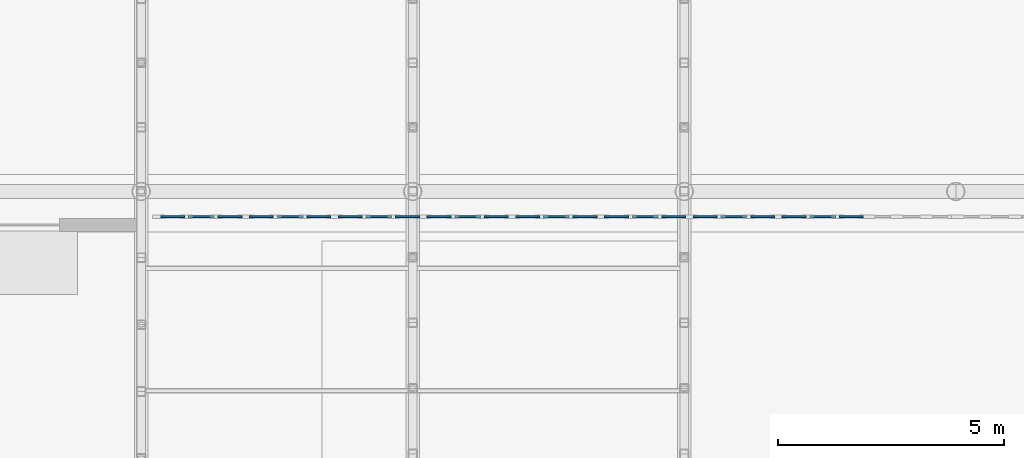
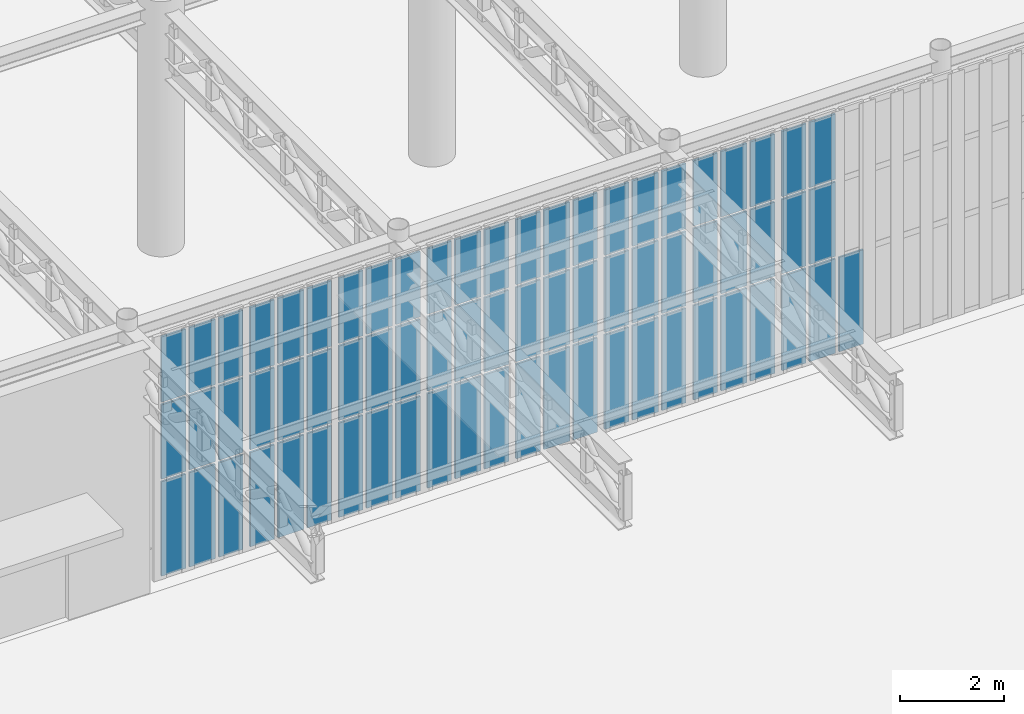
# One storey, part 71 of 118: 70 plates, 8 elements without a shape of their own.
"""IFC4 building model written with IfcOpenShell, lengths in metres."""

from ifc_helpers import new_model, si_unit, direction, frame, origin, origin_2d, place, context, subcontext, project, spatial, rectangle, extrude, material, layer, layer_set, type_object, element, aggregate, save


model = new_model("IFC4")

# Units and contexts
model_context = context("Model", 3, precision=1e-05, world=origin(), true_north=direction((0.0, 1.0)))
body_context = subcontext(model_context, "Body", "Model", "MODEL_VIEW")
ifc_project = project(units=[si_unit("LENGTHUNIT", "METRE"), si_unit("AREAUNIT", "SQUARE_METRE"), si_unit("VOLUMEUNIT", "CUBIC_METRE"), si_unit("PLANEANGLEUNIT", "RADIAN"), si_unit("MASSUNIT", "GRAM", prefix="KILO")], contexts=[model_context])

# Site, building, storey
site_placement = place(None, origin())
site = spatial("IfcSite", under=ifc_project, at=site_placement, CompositionType="ELEMENT")
building_placement = place(site_placement, origin())
building = spatial("IfcBuilding", under=site, at=building_placement, Name="Kolvaren Corner Interchange", CompositionType="ELEMENT")
storey_placement = place(building_placement, origin())
storey = spatial("IfcBuildingStorey", under=building, at=storey_placement, Name="L01", CompositionType="ELEMENT", Elevation=0.0)

# Curtain wall, plates
ifc_material_1 = material(Name="Unitised Aluminium and Solar-Control Glass Curtain Wall", Category="aluminium")
curtain_wall_type = type_object("IfcCurtainWallType", Name="CW-V1-PORTAL", PredefinedType="NOTDEFINED", material=ifc_material_1)
curtain_wall_1_placement = place(storey_placement, origin())
curtain_wall_1 = element("IfcCurtainWall", 1, at=curtain_wall_1_placement, inside=storey, type_object=curtain_wall_type, Name="South Portal Ground Curtain Wall Bay 01", PredefinedType="NOTDEFINED")
ifc_material_2 = material(Name="Acoustic Triple-Glazed Solar Glass", Category="glass")
ifc_layer = layer(ifc_material_2, 0.0419921875)
ifc_layer_set = layer_set([ifc_layer], Name="Acoustic Triple-Glazed Solar Glass")
plate_type = type_object("IfcPlateType", Name="PLT-CW-GL38", PredefinedType="CURTAIN_PANEL", material=ifc_layer_set)
plate_1_placement = place(storey_placement, frame((72.69677734375, 24.340087890625, 0.06005859375), z_axis=(0.0, 0.0, 1.0), x_axis=(1.0, 0.0, 0.0)))
plate_1 = element("IfcPlate", 2, at=plate_1_placement, type_object=plate_type, Name="CW-001 panel 1.1", PredefinedType="CURTAIN_PANEL", context=body_context, shape_type="SweptSolid", body=[
    extrude(rectangle(XDim=0.53369140625, YDim=0.0419921875, at=origin_2d()), origin(), (0.0, 0.0, 1.0), 2.2099609375),
])
plate_2_placement = place(storey_placement, frame((72.69677734375, 24.340087890625, 2.330078125), z_axis=(0.0, 0.0, 1.0), x_axis=(1.0, 0.0, 0.0)))
plate_2 = element("IfcPlate", 3, at=plate_2_placement, type_object=plate_type, Name="CW-001 panel 1.2", PredefinedType="CURTAIN_PANEL", context=body_context, shape_type="SweptSolid", body=[
    extrude(rectangle(XDim=0.53369140625, YDim=0.0419921875, at=origin_2d()), origin(), (0.0, 0.0, 1.0), 1.739990234375),
])
plate_3_placement = place(storey_placement, frame((72.69677734375, 24.340087890625, 4.1298828125), z_axis=(0.0, 0.0, 1.0), x_axis=(1.0, 0.0, 0.0)))
plate_3 = element("IfcPlate", 4, at=plate_3_placement, type_object=plate_type, Name="CW-001 panel 1.3", PredefinedType="CURTAIN_PANEL", context=body_context, shape_type="SweptSolid", body=[
    extrude(rectangle(XDim=0.53369140625, YDim=0.0419921875, at=origin_2d()), origin(), (0.0, 0.0, 1.0), 1.530029296875),
])
plate_4_placement = place(storey_placement, frame((73.33056640625, 24.340087890625, 0.06005859375), z_axis=(0.0, 0.0, 1.0), x_axis=(1.0, 0.0, 0.0)))
plate_4 = element("IfcPlate", 5, at=plate_4_placement, type_object=plate_type, Name="CW-001 panel 2.1", PredefinedType="CURTAIN_PANEL", context=body_context, shape_type="SweptSolid", body=[
    extrude(rectangle(XDim=0.57373046875, YDim=0.0419921875, at=origin_2d()), origin(), (0.0, 0.0, 1.0), 2.2099609375),
])
plate_5_placement = place(storey_placement, frame((73.33056640625, 24.340087890625, 2.330078125), z_axis=(0.0, 0.0, 1.0), x_axis=(1.0, 0.0, 0.0)))
plate_5 = element("IfcPlate", 6, at=plate_5_placement, type_object=plate_type, Name="CW-001 panel 2.2", PredefinedType="CURTAIN_PANEL", context=body_context, shape_type="SweptSolid", body=[
    extrude(rectangle(XDim=0.57373046875, YDim=0.0419921875, at=origin_2d()), origin(), (0.0, 0.0, 1.0), 1.739990234375),
])
plate_6_placement = place(storey_placement, frame((73.33056640625, 24.340087890625, 4.1298828125), z_axis=(0.0, 0.0, 1.0), x_axis=(1.0, 0.0, 0.0)))
plate_6 = element("IfcPlate", 7, at=plate_6_placement, type_object=plate_type, Name="CW-001 panel 2.3", PredefinedType="CURTAIN_PANEL", context=body_context, shape_type="SweptSolid", body=[
    extrude(rectangle(XDim=0.57373046875, YDim=0.0419921875, at=origin_2d()), origin(), (0.0, 0.0, 1.0), 1.530029296875),
])
plate_7_placement = place(storey_placement, frame((73.96435546875, 24.340087890625, 0.06005859375), z_axis=(0.0, 0.0, 1.0), x_axis=(1.0, 0.0, 0.0)))
plate_7 = element("IfcPlate", 8, at=plate_7_placement, type_object=plate_type, Name="CW-001 panel 3.1", PredefinedType="CURTAIN_PANEL", context=body_context, shape_type="SweptSolid", body=[
    extrude(rectangle(XDim=0.53369140625, YDim=0.0419921875, at=origin_2d()), origin(), (0.0, 0.0, 1.0), 2.2099609375),
])
plate_8_placement = place(storey_placement, frame((73.96435546875, 24.340087890625, 2.330078125), z_axis=(0.0, 0.0, 1.0), x_axis=(1.0, 0.0, 0.0)))
plate_8 = element("IfcPlate", 9, at=plate_8_placement, type_object=plate_type, Name="CW-001 panel 3.2", PredefinedType="CURTAIN_PANEL", context=body_context, shape_type="SweptSolid", body=[
    extrude(rectangle(XDim=0.53369140625, YDim=0.0419921875, at=origin_2d()), origin(), (0.0, 0.0, 1.0), 1.739990234375),
])
plate_9_placement = place(storey_placement, frame((73.96435546875, 24.340087890625, 4.1298828125), z_axis=(0.0, 0.0, 1.0), x_axis=(1.0, 0.0, 0.0)))
plate_9 = element("IfcPlate", 10, at=plate_9_placement, type_object=plate_type, Name="CW-001 panel 3.3", PredefinedType="CURTAIN_PANEL", context=body_context, shape_type="SweptSolid", body=[
    extrude(rectangle(XDim=0.53369140625, YDim=0.0419921875, at=origin_2d()), origin(), (0.0, 0.0, 1.0), 1.530029296875),
])
aggregate(curtain_wall_1, [plate_1, plate_2, plate_3, plate_4, plate_5, plate_6, plate_7, plate_8, plate_9])

curtain_wall_2_placement = place(storey_placement, origin())
curtain_wall_2 = element("IfcCurtainWall", 11, at=curtain_wall_2_placement, inside=storey, type_object=curtain_wall_type, Name="South Portal Ground Curtain Wall Bay 02", PredefinedType="NOTDEFINED")
plate_10_placement = place(storey_placement, frame((74.657958984375, 24.340087890625, 0.06005859375), z_axis=(0.0, 0.0, 1.0), x_axis=(1.0, 0.0, 0.0)))
plate_10 = element("IfcPlate", 12, at=plate_10_placement, type_object=plate_type, Name="CW-002 panel 1.1", PredefinedType="CURTAIN_PANEL", context=body_context, shape_type="SweptSolid", body=[
    extrude(rectangle(XDim=0.53369140625, YDim=0.0419921875, at=origin_2d()), origin(), (0.0, 0.0, 1.0), 2.2099609375),
])
plate_11_placement = place(storey_placement, frame((74.657958984375, 24.340087890625, 2.330078125), z_axis=(0.0, 0.0, 1.0), x_axis=(1.0, 0.0, 0.0)))
plate_11 = element("IfcPlate", 13, at=plate_11_placement, type_object=plate_type, Name="CW-002 panel 1.2", PredefinedType="CURTAIN_PANEL", context=body_context, shape_type="SweptSolid", body=[
    extrude(rectangle(XDim=0.53369140625, YDim=0.0419921875, at=origin_2d()), origin(), (0.0, 0.0, 1.0), 1.739990234375),
])
plate_12_placement = place(storey_placement, frame((74.657958984375, 24.340087890625, 4.1298828125), z_axis=(0.0, 0.0, 1.0), x_axis=(1.0, 0.0, 0.0)))
plate_12 = element("IfcPlate", 14, at=plate_12_placement, type_object=plate_type, Name="CW-002 panel 1.3", PredefinedType="CURTAIN_PANEL", context=body_context, shape_type="SweptSolid", body=[
    extrude(rectangle(XDim=0.53369140625, YDim=0.0419921875, at=origin_2d()), origin(), (0.0, 0.0, 1.0), 1.530029296875),
])
plate_13_placement = place(storey_placement, frame((75.291748046875, 24.340087890625, 0.06005859375), z_axis=(0.0, 0.0, 1.0), x_axis=(1.0, 0.0, 0.0)))
plate_13 = element("IfcPlate", 15, at=plate_13_placement, type_object=plate_type, Name="CW-002 panel 2.1", PredefinedType="CURTAIN_PANEL", context=body_context, shape_type="SweptSolid", body=[
    extrude(rectangle(XDim=0.57373046875, YDim=0.0419921875, at=origin_2d()), origin(), (0.0, 0.0, 1.0), 2.2099609375),
])
plate_14_placement = place(storey_placement, frame((75.291748046875, 24.340087890625, 2.330078125), z_axis=(0.0, 0.0, 1.0), x_axis=(1.0, 0.0, 0.0)))
plate_14 = element("IfcPlate", 16, at=plate_14_placement, type_object=plate_type, Name="CW-002 panel 2.2", PredefinedType="CURTAIN_PANEL", context=body_context, shape_type="SweptSolid", body=[
    extrude(rectangle(XDim=0.57373046875, YDim=0.0419921875, at=origin_2d()), origin(), (0.0, 0.0, 1.0), 1.739990234375),
])
plate_15_placement = place(storey_placement, frame((75.291748046875, 24.340087890625, 4.1298828125), z_axis=(0.0, 0.0, 1.0), x_axis=(1.0, 0.0, 0.0)))
plate_15 = element("IfcPlate", 17, at=plate_15_placement, type_object=plate_type, Name="CW-002 panel 2.3", PredefinedType="CURTAIN_PANEL", context=body_context, shape_type="SweptSolid", body=[
    extrude(rectangle(XDim=0.57373046875, YDim=0.0419921875, at=origin_2d()), origin(), (0.0, 0.0, 1.0), 1.530029296875),
])
plate_16_placement = place(storey_placement, frame((75.92529296875, 24.340087890625, 0.06005859375), z_axis=(0.0, 0.0, 1.0), x_axis=(1.0, 0.0, 0.0)))
plate_16 = element("IfcPlate", 18, at=plate_16_placement, type_object=plate_type, Name="CW-002 panel 3.1", PredefinedType="CURTAIN_PANEL", context=body_context, shape_type="SweptSolid", body=[
    extrude(rectangle(XDim=0.53369140625, YDim=0.0419921875, at=origin_2d()), origin(), (0.0, 0.0, 1.0), 2.2099609375),
])
plate_17_placement = place(storey_placement, frame((75.92529296875, 24.340087890625, 2.330078125), z_axis=(0.0, 0.0, 1.0), x_axis=(1.0, 0.0, 0.0)))
plate_17 = element("IfcPlate", 19, at=plate_17_placement, type_object=plate_type, Name="CW-002 panel 3.2", PredefinedType="CURTAIN_PANEL", context=body_context, shape_type="SweptSolid", body=[
    extrude(rectangle(XDim=0.53369140625, YDim=0.0419921875, at=origin_2d()), origin(), (0.0, 0.0, 1.0), 1.739990234375),
])
plate_18_placement = place(storey_placement, frame((75.92529296875, 24.340087890625, 4.1298828125), z_axis=(0.0, 0.0, 1.0), x_axis=(1.0, 0.0, 0.0)))
plate_18 = element("IfcPlate", 20, at=plate_18_placement, type_object=plate_type, Name="CW-002 panel 3.3", PredefinedType="CURTAIN_PANEL", context=body_context, shape_type="SweptSolid", body=[
    extrude(rectangle(XDim=0.53369140625, YDim=0.0419921875, at=origin_2d()), origin(), (0.0, 0.0, 1.0), 1.530029296875),
])
aggregate(curtain_wall_2, [plate_10, plate_11, plate_12, plate_13, plate_14, plate_15, plate_16, plate_17, plate_18])

curtain_wall_3_placement = place(storey_placement, origin())
curtain_wall_3 = element("IfcCurtainWall", 21, at=curtain_wall_3_placement, inside=storey, type_object=curtain_wall_type, Name="South Portal Ground Curtain Wall Bay 03", PredefinedType="NOTDEFINED")
plate_19_placement = place(storey_placement, frame((76.619140625, 24.340087890625, 0.06005859375), z_axis=(0.0, 0.0, 1.0), x_axis=(1.0, 0.0, 0.0)))
plate_19 = element("IfcPlate", 22, at=plate_19_placement, type_object=plate_type, Name="CW-003 panel 1.1", PredefinedType="CURTAIN_PANEL", context=body_context, shape_type="SweptSolid", body=[
    extrude(rectangle(XDim=0.53369140625, YDim=0.0419921875, at=origin_2d()), origin(), (0.0, 0.0, 1.0), 2.2099609375),
])
plate_20_placement = place(storey_placement, frame((76.619140625, 24.340087890625, 2.330078125), z_axis=(0.0, 0.0, 1.0), x_axis=(1.0, 0.0, 0.0)))
plate_20 = element("IfcPlate", 23, at=plate_20_placement, type_object=plate_type, Name="CW-003 panel 1.2", PredefinedType="CURTAIN_PANEL", context=body_context, shape_type="SweptSolid", body=[
    extrude(rectangle(XDim=0.53369140625, YDim=0.0419921875, at=origin_2d()), origin(), (0.0, 0.0, 1.0), 1.739990234375),
])
plate_21_placement = place(storey_placement, frame((76.619140625, 24.340087890625, 4.1298828125), z_axis=(0.0, 0.0, 1.0), x_axis=(1.0, 0.0, 0.0)))
plate_21 = element("IfcPlate", 24, at=plate_21_placement, type_object=plate_type, Name="CW-003 panel 1.3", PredefinedType="CURTAIN_PANEL", context=body_context, shape_type="SweptSolid", body=[
    extrude(rectangle(XDim=0.53369140625, YDim=0.0419921875, at=origin_2d()), origin(), (0.0, 0.0, 1.0), 1.530029296875),
])
plate_22_placement = place(storey_placement, frame((77.252685546875, 24.340087890625, 0.06005859375), z_axis=(0.0, 0.0, 1.0), x_axis=(1.0, 0.0, 0.0)))
plate_22 = element("IfcPlate", 25, at=plate_22_placement, type_object=plate_type, Name="CW-003 panel 2.1", PredefinedType="CURTAIN_PANEL", context=body_context, shape_type="SweptSolid", body=[
    extrude(rectangle(XDim=0.57373046875, YDim=0.0419921875, at=origin_2d()), origin(), (0.0, 0.0, 1.0), 2.2099609375),
])
plate_23_placement = place(storey_placement, frame((77.252685546875, 24.340087890625, 2.330078125), z_axis=(0.0, 0.0, 1.0), x_axis=(1.0, 0.0, 0.0)))
plate_23 = element("IfcPlate", 26, at=plate_23_placement, type_object=plate_type, Name="CW-003 panel 2.2", PredefinedType="CURTAIN_PANEL", context=body_context, shape_type="SweptSolid", body=[
    extrude(rectangle(XDim=0.57373046875, YDim=0.0419921875, at=origin_2d()), origin(), (0.0, 0.0, 1.0), 1.739990234375),
])
plate_24_placement = place(storey_placement, frame((77.252685546875, 24.340087890625, 4.1298828125), z_axis=(0.0, 0.0, 1.0), x_axis=(1.0, 0.0, 0.0)))
plate_24 = element("IfcPlate", 27, at=plate_24_placement, type_object=plate_type, Name="CW-003 panel 2.3", PredefinedType="CURTAIN_PANEL", context=body_context, shape_type="SweptSolid", body=[
    extrude(rectangle(XDim=0.57373046875, YDim=0.0419921875, at=origin_2d()), origin(), (0.0, 0.0, 1.0), 1.530029296875),
])
plate_25_placement = place(storey_placement, frame((77.886474609375, 24.340087890625, 0.06005859375), z_axis=(0.0, 0.0, 1.0), x_axis=(1.0, 0.0, 0.0)))
plate_25 = element("IfcPlate", 28, at=plate_25_placement, type_object=plate_type, Name="CW-003 panel 3.1", PredefinedType="CURTAIN_PANEL", context=body_context, shape_type="SweptSolid", body=[
    extrude(rectangle(XDim=0.53369140625, YDim=0.0419921875, at=origin_2d()), origin(), (0.0, 0.0, 1.0), 2.2099609375),
])
plate_26_placement = place(storey_placement, frame((77.886474609375, 24.340087890625, 2.330078125), z_axis=(0.0, 0.0, 1.0), x_axis=(1.0, 0.0, 0.0)))
plate_26 = element("IfcPlate", 29, at=plate_26_placement, type_object=plate_type, Name="CW-003 panel 3.2", PredefinedType="CURTAIN_PANEL", context=body_context, shape_type="SweptSolid", body=[
    extrude(rectangle(XDim=0.53369140625, YDim=0.0419921875, at=origin_2d()), origin(), (0.0, 0.0, 1.0), 1.739990234375),
])
plate_27_placement = place(storey_placement, frame((77.886474609375, 24.340087890625, 4.1298828125), z_axis=(0.0, 0.0, 1.0), x_axis=(1.0, 0.0, 0.0)))
plate_27 = element("IfcPlate", 30, at=plate_27_placement, type_object=plate_type, Name="CW-003 panel 3.3", PredefinedType="CURTAIN_PANEL", context=body_context, shape_type="SweptSolid", body=[
    extrude(rectangle(XDim=0.53369140625, YDim=0.0419921875, at=origin_2d()), origin(), (0.0, 0.0, 1.0), 1.530029296875),
])
aggregate(curtain_wall_3, [plate_19, plate_20, plate_21, plate_22, plate_23, plate_24, plate_25, plate_26, plate_27])

curtain_wall_4_placement = place(storey_placement, origin())
curtain_wall_4 = element("IfcCurtainWall", 31, at=curtain_wall_4_placement, inside=storey, type_object=curtain_wall_type, Name="South Portal Ground Curtain Wall Bay 04", PredefinedType="NOTDEFINED")
plate_28_placement = place(storey_placement, frame((78.580078125, 24.340087890625, 0.06005859375), z_axis=(0.0, 0.0, 1.0), x_axis=(1.0, 0.0, 0.0)))
plate_28 = element("IfcPlate", 32, at=plate_28_placement, type_object=plate_type, Name="CW-004 panel 1.1", PredefinedType="CURTAIN_PANEL", context=body_context, shape_type="SweptSolid", body=[
    extrude(rectangle(XDim=0.53369140625, YDim=0.0419921875, at=origin_2d()), origin(), (0.0, 0.0, 1.0), 2.2099609375),
])
plate_29_placement = place(storey_placement, frame((78.580078125, 24.340087890625, 2.330078125), z_axis=(0.0, 0.0, 1.0), x_axis=(1.0, 0.0, 0.0)))
plate_29 = element("IfcPlate", 33, at=plate_29_placement, type_object=plate_type, Name="CW-004 panel 1.2", PredefinedType="CURTAIN_PANEL", context=body_context, shape_type="SweptSolid", body=[
    extrude(rectangle(XDim=0.53369140625, YDim=0.0419921875, at=origin_2d()), origin(), (0.0, 0.0, 1.0), 1.739990234375),
])
plate_30_placement = place(storey_placement, frame((78.580078125, 24.340087890625, 4.1298828125), z_axis=(0.0, 0.0, 1.0), x_axis=(1.0, 0.0, 0.0)))
plate_30 = element("IfcPlate", 34, at=plate_30_placement, type_object=plate_type, Name="CW-004 panel 1.3", PredefinedType="CURTAIN_PANEL", context=body_context, shape_type="SweptSolid", body=[
    extrude(rectangle(XDim=0.53369140625, YDim=0.0419921875, at=origin_2d()), origin(), (0.0, 0.0, 1.0), 1.530029296875),
])
plate_31_placement = place(storey_placement, frame((79.2138671875, 24.340087890625, 0.06005859375), z_axis=(0.0, 0.0, 1.0), x_axis=(1.0, 0.0, 0.0)))
plate_31 = element("IfcPlate", 35, at=plate_31_placement, type_object=plate_type, Name="CW-004 panel 2.1", PredefinedType="CURTAIN_PANEL", context=body_context, shape_type="SweptSolid", body=[
    extrude(rectangle(XDim=0.57373046875, YDim=0.0419921875, at=origin_2d()), origin(), (0.0, 0.0, 1.0), 2.2099609375),
])
plate_32_placement = place(storey_placement, frame((79.2138671875, 24.340087890625, 2.330078125), z_axis=(0.0, 0.0, 1.0), x_axis=(1.0, 0.0, 0.0)))
plate_32 = element("IfcPlate", 36, at=plate_32_placement, type_object=plate_type, Name="CW-004 panel 2.2", PredefinedType="CURTAIN_PANEL", context=body_context, shape_type="SweptSolid", body=[
    extrude(rectangle(XDim=0.57373046875, YDim=0.0419921875, at=origin_2d()), origin(), (0.0, 0.0, 1.0), 1.739990234375),
])
plate_33_placement = place(storey_placement, frame((79.2138671875, 24.340087890625, 4.1298828125), z_axis=(0.0, 0.0, 1.0), x_axis=(1.0, 0.0, 0.0)))
plate_33 = element("IfcPlate", 37, at=plate_33_placement, type_object=plate_type, Name="CW-004 panel 2.3", PredefinedType="CURTAIN_PANEL", context=body_context, shape_type="SweptSolid", body=[
    extrude(rectangle(XDim=0.57373046875, YDim=0.0419921875, at=origin_2d()), origin(), (0.0, 0.0, 1.0), 1.530029296875),
])
plate_34_placement = place(storey_placement, frame((79.84765625, 24.340087890625, 0.06005859375), z_axis=(0.0, 0.0, 1.0), x_axis=(1.0, 0.0, 0.0)))
plate_34 = element("IfcPlate", 38, at=plate_34_placement, type_object=plate_type, Name="CW-004 panel 3.1", PredefinedType="CURTAIN_PANEL", context=body_context, shape_type="SweptSolid", body=[
    extrude(rectangle(XDim=0.53369140625, YDim=0.0419921875, at=origin_2d()), origin(), (0.0, 0.0, 1.0), 2.2099609375),
])
plate_35_placement = place(storey_placement, frame((79.84765625, 24.340087890625, 2.330078125), z_axis=(0.0, 0.0, 1.0), x_axis=(1.0, 0.0, 0.0)))
plate_35 = element("IfcPlate", 39, at=plate_35_placement, type_object=plate_type, Name="CW-004 panel 3.2", PredefinedType="CURTAIN_PANEL", context=body_context, shape_type="SweptSolid", body=[
    extrude(rectangle(XDim=0.53369140625, YDim=0.0419921875, at=origin_2d()), origin(), (0.0, 0.0, 1.0), 1.739990234375),
])
plate_36_placement = place(storey_placement, frame((79.84765625, 24.340087890625, 4.1298828125), z_axis=(0.0, 0.0, 1.0), x_axis=(1.0, 0.0, 0.0)))
plate_36 = element("IfcPlate", 40, at=plate_36_placement, type_object=plate_type, Name="CW-004 panel 3.3", PredefinedType="CURTAIN_PANEL", context=body_context, shape_type="SweptSolid", body=[
    extrude(rectangle(XDim=0.53369140625, YDim=0.0419921875, at=origin_2d()), origin(), (0.0, 0.0, 1.0), 1.530029296875),
])
aggregate(curtain_wall_4, [plate_28, plate_29, plate_30, plate_31, plate_32, plate_33, plate_34, plate_35, plate_36])

curtain_wall_5_placement = place(storey_placement, origin())
curtain_wall_5 = element("IfcCurtainWall", 41, at=curtain_wall_5_placement, inside=storey, type_object=curtain_wall_type, Name="South Portal Ground Curtain Wall Bay 05", PredefinedType="NOTDEFINED")
plate_37_placement = place(storey_placement, frame((80.541259765625, 24.340087890625, 0.06005859375), z_axis=(0.0, 0.0, 1.0), x_axis=(1.0, 0.0, 0.0)))
plate_37 = element("IfcPlate", 42, at=plate_37_placement, type_object=plate_type, Name="CW-005 panel 1.1", PredefinedType="CURTAIN_PANEL", context=body_context, shape_type="SweptSolid", body=[
    extrude(rectangle(XDim=0.53369140625, YDim=0.0419921875, at=origin_2d()), origin(), (0.0, 0.0, 1.0), 2.2099609375),
])
plate_38_placement = place(storey_placement, frame((80.541259765625, 24.340087890625, 2.330078125), z_axis=(0.0, 0.0, 1.0), x_axis=(1.0, 0.0, 0.0)))
plate_38 = element("IfcPlate", 43, at=plate_38_placement, type_object=plate_type, Name="CW-005 panel 1.2", PredefinedType="CURTAIN_PANEL", context=body_context, shape_type="SweptSolid", body=[
    extrude(rectangle(XDim=0.53369140625, YDim=0.0419921875, at=origin_2d()), origin(), (0.0, 0.0, 1.0), 1.739990234375),
])
plate_39_placement = place(storey_placement, frame((80.541259765625, 24.340087890625, 4.1298828125), z_axis=(0.0, 0.0, 1.0), x_axis=(1.0, 0.0, 0.0)))
plate_39 = element("IfcPlate", 44, at=plate_39_placement, type_object=plate_type, Name="CW-005 panel 1.3", PredefinedType="CURTAIN_PANEL", context=body_context, shape_type="SweptSolid", body=[
    extrude(rectangle(XDim=0.53369140625, YDim=0.0419921875, at=origin_2d()), origin(), (0.0, 0.0, 1.0), 1.530029296875),
])
plate_40_placement = place(storey_placement, frame((81.175048828125, 24.340087890625, 0.06005859375), z_axis=(0.0, 0.0, 1.0), x_axis=(1.0, 0.0, 0.0)))
plate_40 = element("IfcPlate", 45, at=plate_40_placement, type_object=plate_type, Name="CW-005 panel 2.1", PredefinedType="CURTAIN_PANEL", context=body_context, shape_type="SweptSolid", body=[
    extrude(rectangle(XDim=0.57373046875, YDim=0.0419921875, at=origin_2d()), origin(), (0.0, 0.0, 1.0), 2.2099609375),
])
plate_41_placement = place(storey_placement, frame((81.175048828125, 24.340087890625, 2.330078125), z_axis=(0.0, 0.0, 1.0), x_axis=(1.0, 0.0, 0.0)))
plate_41 = element("IfcPlate", 46, at=plate_41_placement, type_object=plate_type, Name="CW-005 panel 2.2", PredefinedType="CURTAIN_PANEL", context=body_context, shape_type="SweptSolid", body=[
    extrude(rectangle(XDim=0.57373046875, YDim=0.0419921875, at=origin_2d()), origin(), (0.0, 0.0, 1.0), 1.739990234375),
])
plate_42_placement = place(storey_placement, frame((81.175048828125, 24.340087890625, 4.1298828125), z_axis=(0.0, 0.0, 1.0), x_axis=(1.0, 0.0, 0.0)))
plate_42 = element("IfcPlate", 47, at=plate_42_placement, type_object=plate_type, Name="CW-005 panel 2.3", PredefinedType="CURTAIN_PANEL", context=body_context, shape_type="SweptSolid", body=[
    extrude(rectangle(XDim=0.57373046875, YDim=0.0419921875, at=origin_2d()), origin(), (0.0, 0.0, 1.0), 1.530029296875),
])
plate_43_placement = place(storey_placement, frame((81.808837890625, 24.340087890625, 0.06005859375), z_axis=(0.0, 0.0, 1.0), x_axis=(1.0, 0.0, 0.0)))
plate_43 = element("IfcPlate", 48, at=plate_43_placement, type_object=plate_type, Name="CW-005 panel 3.1", PredefinedType="CURTAIN_PANEL", context=body_context, shape_type="SweptSolid", body=[
    extrude(rectangle(XDim=0.53369140625, YDim=0.0419921875, at=origin_2d()), origin(), (0.0, 0.0, 1.0), 2.2099609375),
])
plate_44_placement = place(storey_placement, frame((81.808837890625, 24.340087890625, 2.330078125), z_axis=(0.0, 0.0, 1.0), x_axis=(1.0, 0.0, 0.0)))
plate_44 = element("IfcPlate", 49, at=plate_44_placement, type_object=plate_type, Name="CW-005 panel 3.2", PredefinedType="CURTAIN_PANEL", context=body_context, shape_type="SweptSolid", body=[
    extrude(rectangle(XDim=0.53369140625, YDim=0.0419921875, at=origin_2d()), origin(), (0.0, 0.0, 1.0), 1.739990234375),
])
plate_45_placement = place(storey_placement, frame((81.808837890625, 24.340087890625, 4.1298828125), z_axis=(0.0, 0.0, 1.0), x_axis=(1.0, 0.0, 0.0)))
plate_45 = element("IfcPlate", 50, at=plate_45_placement, type_object=plate_type, Name="CW-005 panel 3.3", PredefinedType="CURTAIN_PANEL", context=body_context, shape_type="SweptSolid", body=[
    extrude(rectangle(XDim=0.53369140625, YDim=0.0419921875, at=origin_2d()), origin(), (0.0, 0.0, 1.0), 1.530029296875),
])
aggregate(curtain_wall_5, [plate_37, plate_38, plate_39, plate_40, plate_41, plate_42, plate_43, plate_44, plate_45])

curtain_wall_6_placement = place(storey_placement, origin())
curtain_wall_6 = element("IfcCurtainWall", 51, at=curtain_wall_6_placement, inside=storey, type_object=curtain_wall_type, Name="South Portal Ground Curtain Wall Bay 06", PredefinedType="NOTDEFINED")
plate_46_placement = place(storey_placement, frame((82.50244140625, 24.340087890625, 0.06005859375), z_axis=(0.0, 0.0, 1.0), x_axis=(1.0, 0.0, 0.0)))
plate_46 = element("IfcPlate", 52, at=plate_46_placement, type_object=plate_type, Name="CW-006 panel 1.1", PredefinedType="CURTAIN_PANEL", context=body_context, shape_type="SweptSolid", body=[
    extrude(rectangle(XDim=0.53369140625, YDim=0.0419921875, at=origin_2d()), origin(), (0.0, 0.0, 1.0), 2.2099609375),
])
plate_47_placement = place(storey_placement, frame((82.50244140625, 24.340087890625, 2.330078125), z_axis=(0.0, 0.0, 1.0), x_axis=(1.0, 0.0, 0.0)))
plate_47 = element("IfcPlate", 53, at=plate_47_placement, type_object=plate_type, Name="CW-006 panel 1.2", PredefinedType="CURTAIN_PANEL", context=body_context, shape_type="SweptSolid", body=[
    extrude(rectangle(XDim=0.53369140625, YDim=0.0419921875, at=origin_2d()), origin(), (0.0, 0.0, 1.0), 1.739990234375),
])
plate_48_placement = place(storey_placement, frame((82.50244140625, 24.340087890625, 4.1298828125), z_axis=(0.0, 0.0, 1.0), x_axis=(1.0, 0.0, 0.0)))
plate_48 = element("IfcPlate", 54, at=plate_48_placement, type_object=plate_type, Name="CW-006 panel 1.3", PredefinedType="CURTAIN_PANEL", context=body_context, shape_type="SweptSolid", body=[
    extrude(rectangle(XDim=0.53369140625, YDim=0.0419921875, at=origin_2d()), origin(), (0.0, 0.0, 1.0), 1.530029296875),
])
plate_49_placement = place(storey_placement, frame((83.13623046875, 24.340087890625, 0.06005859375), z_axis=(0.0, 0.0, 1.0), x_axis=(1.0, 0.0, 0.0)))
plate_49 = element("IfcPlate", 55, at=plate_49_placement, type_object=plate_type, Name="CW-006 panel 2.1", PredefinedType="CURTAIN_PANEL", context=body_context, shape_type="SweptSolid", body=[
    extrude(rectangle(XDim=0.57373046875, YDim=0.0419921875, at=origin_2d()), origin(), (0.0, 0.0, 1.0), 2.2099609375),
])
plate_50_placement = place(storey_placement, frame((83.13623046875, 24.340087890625, 2.330078125), z_axis=(0.0, 0.0, 1.0), x_axis=(1.0, 0.0, 0.0)))
plate_50 = element("IfcPlate", 56, at=plate_50_placement, type_object=plate_type, Name="CW-006 panel 2.2", PredefinedType="CURTAIN_PANEL", context=body_context, shape_type="SweptSolid", body=[
    extrude(rectangle(XDim=0.57373046875, YDim=0.0419921875, at=origin_2d()), origin(), (0.0, 0.0, 1.0), 1.739990234375),
])
plate_51_placement = place(storey_placement, frame((83.13623046875, 24.340087890625, 4.1298828125), z_axis=(0.0, 0.0, 1.0), x_axis=(1.0, 0.0, 0.0)))
plate_51 = element("IfcPlate", 57, at=plate_51_placement, type_object=plate_type, Name="CW-006 panel 2.3", PredefinedType="CURTAIN_PANEL", context=body_context, shape_type="SweptSolid", body=[
    extrude(rectangle(XDim=0.57373046875, YDim=0.0419921875, at=origin_2d()), origin(), (0.0, 0.0, 1.0), 1.530029296875),
])
plate_52_placement = place(storey_placement, frame((83.769775390625, 24.340087890625, 0.06005859375), z_axis=(0.0, 0.0, 1.0), x_axis=(1.0, 0.0, 0.0)))
plate_52 = element("IfcPlate", 58, at=plate_52_placement, type_object=plate_type, Name="CW-006 panel 3.1", PredefinedType="CURTAIN_PANEL", context=body_context, shape_type="SweptSolid", body=[
    extrude(rectangle(XDim=0.53369140625, YDim=0.0419921875, at=origin_2d()), origin(), (0.0, 0.0, 1.0), 2.2099609375),
])
plate_53_placement = place(storey_placement, frame((83.769775390625, 24.340087890625, 2.330078125), z_axis=(0.0, 0.0, 1.0), x_axis=(1.0, 0.0, 0.0)))
plate_53 = element("IfcPlate", 59, at=plate_53_placement, type_object=plate_type, Name="CW-006 panel 3.2", PredefinedType="CURTAIN_PANEL", context=body_context, shape_type="SweptSolid", body=[
    extrude(rectangle(XDim=0.53369140625, YDim=0.0419921875, at=origin_2d()), origin(), (0.0, 0.0, 1.0), 1.739990234375),
])
plate_54_placement = place(storey_placement, frame((83.769775390625, 24.340087890625, 4.1298828125), z_axis=(0.0, 0.0, 1.0), x_axis=(1.0, 0.0, 0.0)))
plate_54 = element("IfcPlate", 60, at=plate_54_placement, type_object=plate_type, Name="CW-006 panel 3.3", PredefinedType="CURTAIN_PANEL", context=body_context, shape_type="SweptSolid", body=[
    extrude(rectangle(XDim=0.53369140625, YDim=0.0419921875, at=origin_2d()), origin(), (0.0, 0.0, 1.0), 1.530029296875),
])
aggregate(curtain_wall_6, [plate_46, plate_47, plate_48, plate_49, plate_50, plate_51, plate_52, plate_53, plate_54])

curtain_wall_7_placement = place(storey_placement, origin())
curtain_wall_7 = element("IfcCurtainWall", 61, at=curtain_wall_7_placement, inside=storey, type_object=curtain_wall_type, Name="South Portal Ground Curtain Wall Bay 07", PredefinedType="NOTDEFINED")
plate_55_placement = place(storey_placement, frame((84.463623046875, 24.340087890625, 0.06005859375), z_axis=(0.0, 0.0, 1.0), x_axis=(1.0, 0.0, 0.0)))
plate_55 = element("IfcPlate", 62, at=plate_55_placement, type_object=plate_type, Name="CW-007 panel 1.1", PredefinedType="CURTAIN_PANEL", context=body_context, shape_type="SweptSolid", body=[
    extrude(rectangle(XDim=0.53369140625, YDim=0.0419921875, at=origin_2d()), origin(), (0.0, 0.0, 1.0), 2.2099609375),
])
plate_56_placement = place(storey_placement, frame((84.463623046875, 24.340087890625, 2.330078125), z_axis=(0.0, 0.0, 1.0), x_axis=(1.0, 0.0, 0.0)))
plate_56 = element("IfcPlate", 63, at=plate_56_placement, type_object=plate_type, Name="CW-007 panel 1.2", PredefinedType="CURTAIN_PANEL", context=body_context, shape_type="SweptSolid", body=[
    extrude(rectangle(XDim=0.53369140625, YDim=0.0419921875, at=origin_2d()), origin(), (0.0, 0.0, 1.0), 1.739990234375),
])
plate_57_placement = place(storey_placement, frame((84.463623046875, 24.340087890625, 4.1298828125), z_axis=(0.0, 0.0, 1.0), x_axis=(1.0, 0.0, 0.0)))
plate_57 = element("IfcPlate", 64, at=plate_57_placement, type_object=plate_type, Name="CW-007 panel 1.3", PredefinedType="CURTAIN_PANEL", context=body_context, shape_type="SweptSolid", body=[
    extrude(rectangle(XDim=0.53369140625, YDim=0.0419921875, at=origin_2d()), origin(), (0.0, 0.0, 1.0), 1.530029296875),
])
plate_58_placement = place(storey_placement, frame((85.09716796875, 24.340087890625, 0.06005859375), z_axis=(0.0, 0.0, 1.0), x_axis=(1.0, 0.0, 0.0)))
plate_58 = element("IfcPlate", 65, at=plate_58_placement, type_object=plate_type, Name="CW-007 panel 2.1", PredefinedType="CURTAIN_PANEL", context=body_context, shape_type="SweptSolid", body=[
    extrude(rectangle(XDim=0.57373046875, YDim=0.0419921875, at=origin_2d()), origin(), (0.0, 0.0, 1.0), 2.2099609375),
])
plate_59_placement = place(storey_placement, frame((85.09716796875, 24.340087890625, 2.330078125), z_axis=(0.0, 0.0, 1.0), x_axis=(1.0, 0.0, 0.0)))
plate_59 = element("IfcPlate", 66, at=plate_59_placement, type_object=plate_type, Name="CW-007 panel 2.2", PredefinedType="CURTAIN_PANEL", context=body_context, shape_type="SweptSolid", body=[
    extrude(rectangle(XDim=0.57373046875, YDim=0.0419921875, at=origin_2d()), origin(), (0.0, 0.0, 1.0), 1.739990234375),
])
plate_60_placement = place(storey_placement, frame((85.09716796875, 24.340087890625, 4.1298828125), z_axis=(0.0, 0.0, 1.0), x_axis=(1.0, 0.0, 0.0)))
plate_60 = element("IfcPlate", 67, at=plate_60_placement, type_object=plate_type, Name="CW-007 panel 2.3", PredefinedType="CURTAIN_PANEL", context=body_context, shape_type="SweptSolid", body=[
    extrude(rectangle(XDim=0.57373046875, YDim=0.0419921875, at=origin_2d()), origin(), (0.0, 0.0, 1.0), 1.530029296875),
])
plate_61_placement = place(storey_placement, frame((85.73095703125, 24.340087890625, 0.06005859375), z_axis=(0.0, 0.0, 1.0), x_axis=(1.0, 0.0, 0.0)))
plate_61 = element("IfcPlate", 68, at=plate_61_placement, type_object=plate_type, Name="CW-007 panel 3.1", PredefinedType="CURTAIN_PANEL", context=body_context, shape_type="SweptSolid", body=[
    extrude(rectangle(XDim=0.53369140625, YDim=0.0419921875, at=origin_2d()), origin(), (0.0, 0.0, 1.0), 2.2099609375),
])
plate_62_placement = place(storey_placement, frame((85.73095703125, 24.340087890625, 2.330078125), z_axis=(0.0, 0.0, 1.0), x_axis=(1.0, 0.0, 0.0)))
plate_62 = element("IfcPlate", 69, at=plate_62_placement, type_object=plate_type, Name="CW-007 panel 3.2", PredefinedType="CURTAIN_PANEL", context=body_context, shape_type="SweptSolid", body=[
    extrude(rectangle(XDim=0.53369140625, YDim=0.0419921875, at=origin_2d()), origin(), (0.0, 0.0, 1.0), 1.739990234375),
])
plate_63_placement = place(storey_placement, frame((85.73095703125, 24.340087890625, 4.1298828125), z_axis=(0.0, 0.0, 1.0), x_axis=(1.0, 0.0, 0.0)))
plate_63 = element("IfcPlate", 70, at=plate_63_placement, type_object=plate_type, Name="CW-007 panel 3.3", PredefinedType="CURTAIN_PANEL", context=body_context, shape_type="SweptSolid", body=[
    extrude(rectangle(XDim=0.53369140625, YDim=0.0419921875, at=origin_2d()), origin(), (0.0, 0.0, 1.0), 1.530029296875),
])
aggregate(curtain_wall_7, [plate_55, plate_56, plate_57, plate_58, plate_59, plate_60, plate_61, plate_62, plate_63])

curtain_wall_8_placement = place(storey_placement, origin())
curtain_wall_8 = element("IfcCurtainWall", 71, at=curtain_wall_8_placement, inside=storey, type_object=curtain_wall_type, Name="South Portal Ground Curtain Wall Bay 08", PredefinedType="NOTDEFINED")
plate_64_placement = place(storey_placement, frame((86.424560546875, 24.340087890625, 0.06005859375), z_axis=(0.0, 0.0, 1.0), x_axis=(1.0, 0.0, 0.0)))
plate_64 = element("IfcPlate", 72, at=plate_64_placement, type_object=plate_type, Name="CW-008 panel 1.1", PredefinedType="CURTAIN_PANEL", context=body_context, shape_type="SweptSolid", body=[
    extrude(rectangle(XDim=0.53369140625, YDim=0.0419921875, at=origin_2d()), origin(), (0.0, 0.0, 1.0), 2.2099609375),
])
plate_65_placement = place(storey_placement, frame((86.424560546875, 24.340087890625, 2.330078125), z_axis=(0.0, 0.0, 1.0), x_axis=(1.0, 0.0, 0.0)))
plate_65 = element("IfcPlate", 73, at=plate_65_placement, type_object=plate_type, Name="CW-008 panel 1.2", PredefinedType="CURTAIN_PANEL", context=body_context, shape_type="SweptSolid", body=[
    extrude(rectangle(XDim=0.53369140625, YDim=0.0419921875, at=origin_2d()), origin(), (0.0, 0.0, 1.0), 1.739990234375),
])
plate_66_placement = place(storey_placement, frame((86.424560546875, 24.340087890625, 4.1298828125), z_axis=(0.0, 0.0, 1.0), x_axis=(1.0, 0.0, 0.0)))
plate_66 = element("IfcPlate", 74, at=plate_66_placement, type_object=plate_type, Name="CW-008 panel 1.3", PredefinedType="CURTAIN_PANEL", context=body_context, shape_type="SweptSolid", body=[
    extrude(rectangle(XDim=0.53369140625, YDim=0.0419921875, at=origin_2d()), origin(), (0.0, 0.0, 1.0), 1.530029296875),
])
plate_67_placement = place(storey_placement, frame((87.058349609375, 24.340087890625, 0.06005859375), z_axis=(0.0, 0.0, 1.0), x_axis=(1.0, 0.0, 0.0)))
plate_67 = element("IfcPlate", 75, at=plate_67_placement, type_object=plate_type, Name="CW-008 panel 2.1", PredefinedType="CURTAIN_PANEL", context=body_context, shape_type="SweptSolid", body=[
    extrude(rectangle(XDim=0.57373046875, YDim=0.0419921875, at=origin_2d()), origin(), (0.0, 0.0, 1.0), 2.2099609375),
])
plate_68_placement = place(storey_placement, frame((87.058349609375, 24.340087890625, 2.330078125), z_axis=(0.0, 0.0, 1.0), x_axis=(1.0, 0.0, 0.0)))
plate_68 = element("IfcPlate", 76, at=plate_68_placement, type_object=plate_type, Name="CW-008 panel 2.2", PredefinedType="CURTAIN_PANEL", context=body_context, shape_type="SweptSolid", body=[
    extrude(rectangle(XDim=0.57373046875, YDim=0.0419921875, at=origin_2d()), origin(), (0.0, 0.0, 1.0), 1.739990234375),
])
plate_69_placement = place(storey_placement, frame((87.058349609375, 24.340087890625, 4.1298828125), z_axis=(0.0, 0.0, 1.0), x_axis=(1.0, 0.0, 0.0)))
plate_69 = element("IfcPlate", 77, at=plate_69_placement, type_object=plate_type, Name="CW-008 panel 2.3", PredefinedType="CURTAIN_PANEL", context=body_context, shape_type="SweptSolid", body=[
    extrude(rectangle(XDim=0.57373046875, YDim=0.0419921875, at=origin_2d()), origin(), (0.0, 0.0, 1.0), 1.530029296875),
])
plate_70_placement = place(storey_placement, frame((87.692138671875, 24.340087890625, 0.06005859375), z_axis=(0.0, 0.0, 1.0), x_axis=(1.0, 0.0, 0.0)))
plate_70 = element("IfcPlate", 78, at=plate_70_placement, type_object=plate_type, Name="CW-008 panel 3.1", PredefinedType="CURTAIN_PANEL", context=body_context, shape_type="SweptSolid", body=[
    extrude(rectangle(XDim=0.53369140625, YDim=0.0419921875, at=origin_2d()), origin(), (0.0, 0.0, 1.0), 2.2099609375),
])
aggregate(curtain_wall_8, [plate_64, plate_65, plate_66, plate_67, plate_68, plate_69, plate_70])

save(model, "model.ifc")
